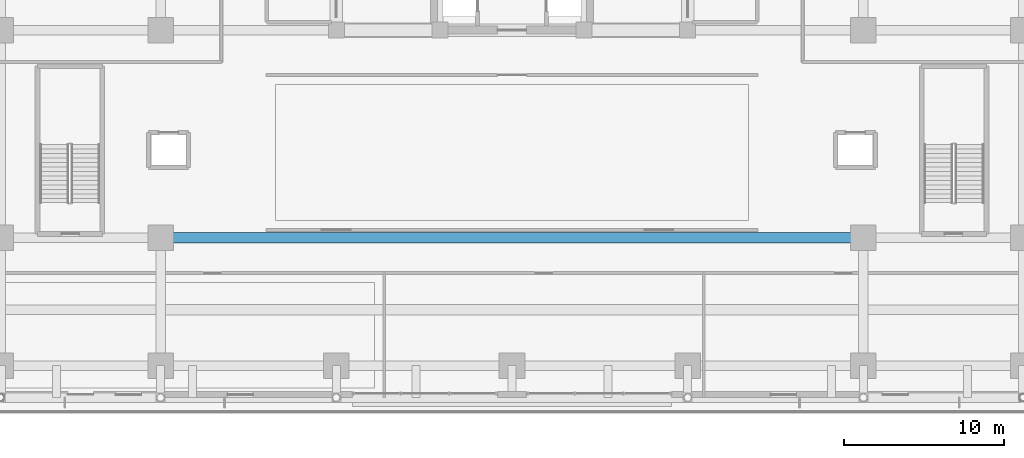
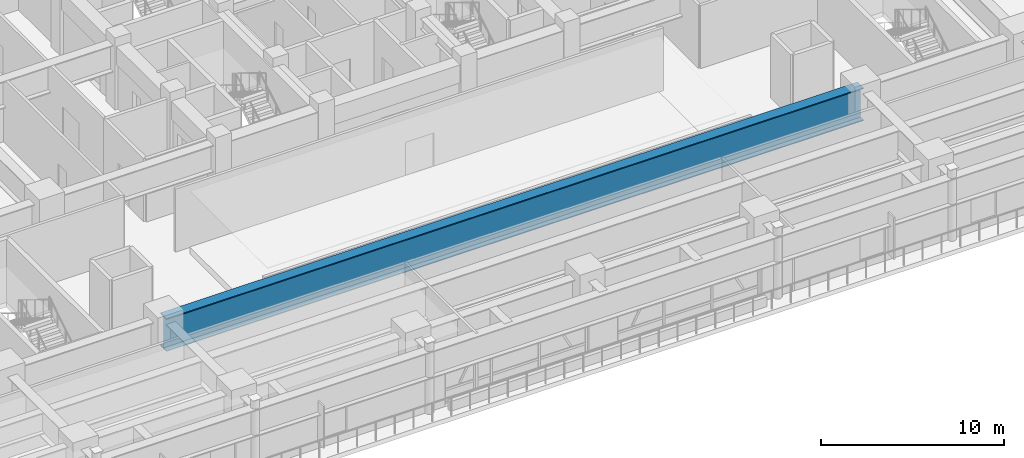
# One storey, part 14 of 35: 1 beam.
"""IFC4 building model written with IfcOpenShell, lengths in metres."""

from ifc_helpers import new_model, si_unit, direction, frame, origin, origin_2d, place, context, subcontext, project, spatial, i_section, extrude, source, transform, mapped, material, material_profile, profile_set, type_object, element, save


model = new_model("IFC4")

# Units and contexts
model_context = context("Model", 3, precision=1e-05, world=origin(), true_north=direction((0.0, 1.0)))
body_context = subcontext(model_context, "Body", "Model", "MODEL_VIEW")
ifc_project = project(units=[si_unit("LENGTHUNIT", "METRE"), si_unit("AREAUNIT", "SQUARE_METRE"), si_unit("VOLUMEUNIT", "CUBIC_METRE"), si_unit("PLANEANGLEUNIT", "RADIAN"), si_unit("MASSUNIT", "GRAM", prefix="KILO")], contexts=[model_context])

# Site, building, storey
site_placement = place(None, origin())
site = spatial("IfcSite", under=ifc_project, at=site_placement, CompositionType="ELEMENT")
building_placement = place(site_placement, origin())
building = spatial("IfcBuilding", under=site, at=building_placement, Name="Khorayat Bourse Tower", CompositionType="ELEMENT")
storey_placement = place(building_placement, frame((0.0, 0.0, 22.199951171875)))
storey = spatial("IfcBuildingStorey", under=building, at=storey_placement, Name="L04", CompositionType="ELEMENT", Elevation=22.199951171875)

# Beam
ifc_material = material(Name="Steel EN 10025-4 S460M", Category="steel")
ifc_material_profile = material_profile(ifc_material, i_section(OverallWidth=0.64990234375, OverallDepth=2.199951171875, WebThickness=0.035888671875, FlangeThickness=0.06494140625, at=origin_2d()), Name="PG 2200x650x36x65")
ifc_profile_set = profile_set([ifc_material_profile], Name="Steel EN 10025-4 S460M")
beam_type = type_object("IfcBeamType", Name="BM-TR-2200", PredefinedType="BEAM", material=ifc_profile_set)
shared_shape = source(origin(), body_context, "Body", "SweptSolid", [
    extrude(i_section(OverallWidth=0.64990234375, OverallDepth=2.199951171875, WebThickness=0.035888671875, FlangeThickness=0.06494140625, at=origin_2d()), origin(), (0.0, 0.0, 1.0), 44.0),
])
beam_placement = place(storey_placement, frame((-22.0, -24.0, 3.10009765625), z_axis=(1.0, 0.0, 0.0), x_axis=(0.0, 1.0, 0.0)))
element("IfcBeam", 1, at=beam_placement, inside=storey, type_object=beam_type, Name="L04 BM-TR-2200 BM-L04-PGX-046", PredefinedType="BEAM", context=body_context, shape_type="MappedRepresentation", body=[
    mapped(shared_shape, transform((0.0, 0.0, 0.0), scale=1.0)),
])

save(model, "model.ifc")
